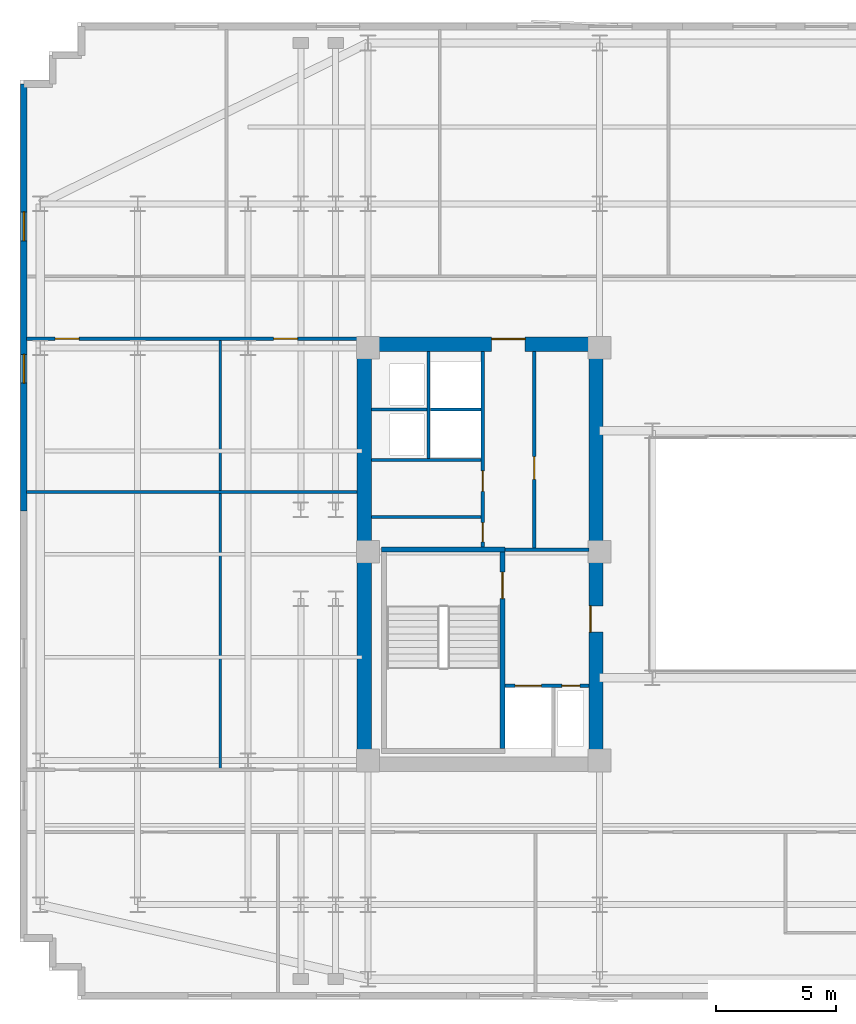
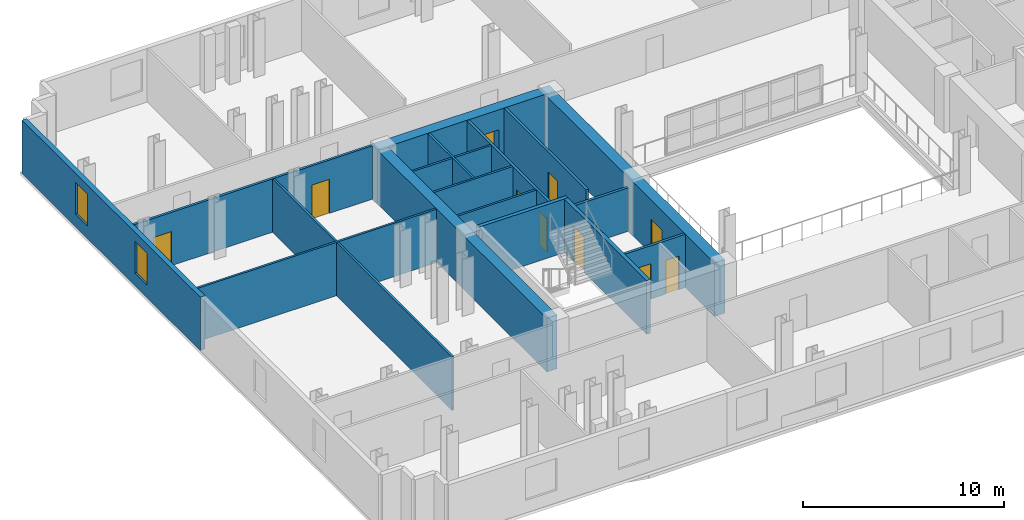
# One storey, part 7 of 12: 18 walls, 10 doors, 2 windows, 12 openings.
"""IFC4 building model written with IfcOpenShell, lengths in metres."""

from ifc_helpers import new_model, si_unit, direction, frame, frame_2d, origin, place, context, subcontext, project, spatial, rectangle, extrude, material, layer, layer_set, type_object, element, fill, save


model = new_model("IFC4")

# Units and contexts
model_context = context("Model", 3, precision=1e-05, world=origin(), true_north=direction((0.0, 1.0)))
body_context = subcontext(model_context, "Body", "Model", "MODEL_VIEW")
ifc_project = project(units=[si_unit("LENGTHUNIT", "METRE"), si_unit("AREAUNIT", "SQUARE_METRE"), si_unit("VOLUMEUNIT", "CUBIC_METRE"), si_unit("PLANEANGLEUNIT", "RADIAN"), si_unit("MASSUNIT", "GRAM", prefix="KILO")], contexts=[model_context])

# Site, building, storey
site_placement = place(None, origin())
site = spatial("IfcSite", under=ifc_project, at=site_placement, CompositionType="ELEMENT")
building_placement = place(site_placement, origin())
building = spatial("IfcBuilding", under=site, at=building_placement, Name="Velakula Bourse", CompositionType="ELEMENT")
storey_placement = place(building_placement, frame((0.0, 0.0, 148.449951171875)))
storey = spatial("IfcBuildingStorey", under=building, at=storey_placement, Name="L40", CompositionType="ELEMENT", Elevation=148.449951171875)

# Wall, opening, door
ifc_material_1 = material(Name="Concrete M50 (fck 50 MPa)", Category="concrete")
ifc_layer_1 = layer(ifc_material_1, 0.2099609375, Name="Concrete M50 (fck 50 MPa)", Category="concrete")
ifc_layer_set_1 = layer_set([ifc_layer_1], Name="Concrete M50 (fck 50 MPa)")
wall_type_1 = type_object("IfcWallType", Name="WL-CORE-210", PredefinedType="SHEAR", material=ifc_layer_set_1)
wall_1_placement = place(storey_placement, frame((-12.9951171875, -8.10009765625, 0.0), z_axis=(0.0, 0.0, 1.0), x_axis=(0.0, 1.0, 0.0)))
wall_1 = element("IfcWall", 1, at=wall_1_placement, inside=storey, type_object=wall_type_1, Name="L40 Core W Stairwell Shear Wall IN", PredefinedType="SHEAR", context=body_context, shape_type="SweptSolid", body=[
    extrude(rectangle(XDim=8.2001953125, YDim=0.2099609375, at=frame_2d((4.10009765625, 0.0))), origin(), (0.0, 0.0, 1.0), 3.27001953125),
])
opening_1_placement = place(wall_1_placement, frame((6.25, 0.0, 0.0)))
opening_1 = element("IfcOpeningElement", 2, at=opening_1_placement, cuts=wall_1, Name="Opening D-STW1", PredefinedType="OPENING", context=body_context, shape_type="SweptSolid", body=[
    extrude(rectangle(XDim=1.10009765625, YDim=2.14990234375, at=frame_2d((0.550048828125, 1.074951171875))), frame((0.0, 0.114990234375, 0.0), z_axis=(0.0, -1.0, 0.0), x_axis=(1.0, 0.0, 0.0)), (0.0, 0.0, 1.0), 0.22998046875),
])
ifc_material_2 = material(Name="Galvanised painted hollow steel fire door", Category="steel")
door_type_1 = type_object("IfcDoorType", Name="DR-FD120-1100x2150", OperationType="NOTDEFINED", PredefinedType="DOOR", material=ifc_material_2)
door_1_placement = place(opening_1_placement, origin())
door_1 = element("IfcDoor", 3, at=door_1_placement, inside=storey, type_object=door_type_1, Name="L40 Stair ST-W1 Fire Door", OperationType="SINGLE_SWING_LEFT", OverallHeight=2.14990234375, OverallWidth=1.10009765625, PredefinedType="DOOR", context=body_context, shape_type="SweptSolid", body=[
    extrude(rectangle(XDim=1.10009765625, YDim=2.14990234375, at=frame_2d((0.550048828125, 1.074951171875))), frame((0.0, 0.02490234375, 0.0), z_axis=(0.0, -1.0, 0.0), x_axis=(1.0, 0.0, 0.0)), (0.0, 0.0, 1.0), 0.050048828125),
])
fill(opening_1, door_1)

# Wall
wall_2_placement = place(storey_placement, frame((-12.889892578125, 0.205078125, 0.0), z_axis=(0.0, 0.0, 1.0), x_axis=(-1.0, 0.0, 0.0)))
element("IfcWall", 4, at=wall_2_placement, inside=storey, type_object=wall_type_1, Name="L40 Core W Stairwell Shear Wall N", PredefinedType="SHEAR", context=body_context, shape_type="SweptSolid", body=[
    extrude(rectangle(XDim=5.14013671875, YDim=0.2099609375, at=frame_2d((2.570068359375, 0.0))), origin(), (0.0, 0.0, 1.0), 3.27001953125),
])

# Wall, opening, door
ifc_material_3 = material(Name="Concrete M70 (fck 70 MPa)", Category="concrete")
ifc_layer_2 = layer(ifc_material_3, 0.60009765625, Name="Concrete M70 (fck 70 MPa)", Category="concrete")
ifc_layer_set_2 = layer_set([ifc_layer_2], Name="Concrete M70 (fck 70 MPa)")
wall_type_2 = type_object("IfcWallType", Name="WL-CORE-600", PredefinedType="SHEAR", material=ifc_layer_set_2)
wall_3_placement = place(storey_placement, frame((-19.050048828125, 8.75, 0.0), z_axis=(0.0, 0.0, 1.0), x_axis=(1.0, 0.0, 0.0)))
wall_3 = element("IfcWall", 5, at=wall_3_placement, inside=storey, type_object=wall_type_2, Name="L40 Core W Shear Wall N", PredefinedType="SHEAR", context=body_context, shape_type="SweptSolid", body=[
    extrude(rectangle(XDim=10.25, YDim=0.60009765625, at=frame_2d((5.125, 0.0))), origin(), (0.0, 0.0, 1.0), 3.27001953125),
])
opening_2_placement = place(wall_3_placement, frame((5.60009765625, 0.0, 0.0)))
opening_2 = element("IfcOpeningElement", 6, at=opening_2_placement, cuts=wall_3, Name="Opening D-LLW", PredefinedType="OPENING", context=body_context, shape_type="SweptSolid", body=[
    extrude(rectangle(XDim=1.39990234375, YDim=2.050048828125, at=frame_2d((0.699951171875, 1.02490234375))), frame((0.0, 0.31005859375, 0.0), z_axis=(0.0, -1.0, 0.0), x_axis=(1.0, 0.0, 0.0)), (0.0, 0.0, 1.0), 0.6201171875),
])
ifc_material_4 = material(Name="Fire-rated hardwood flush architectural door", Category="wood")
door_type_2 = type_object("IfcDoorType", Name="DR-DBL-FD60-1400", OperationType="DOUBLE_DOOR_SINGLE_SWING", PredefinedType="DOOR", material=ifc_material_4)
door_2_placement = place(opening_2_placement, origin())
door_2 = element("IfcDoor", 7, at=door_2_placement, inside=storey, type_object=door_type_2, Name="L40 Core W Lift Lobby Corridor Double Door", OperationType="DOUBLE_DOOR_SINGLE_SWING", OverallHeight=2.050048828125, OverallWidth=1.39990234375, PredefinedType="DOOR", context=body_context, shape_type="SweptSolid", body=[
    extrude(rectangle(XDim=1.39990234375, YDim=2.050048828125, at=frame_2d((0.699951171875, 1.02490234375))), frame((0.0, 0.2451171875, 0.0), z_axis=(0.0, -1.0, 0.0), x_axis=(1.0, 0.0, 0.0)), (0.0, 0.0, 1.0), 0.050048828125),
])
fill(opening_2, door_2)

# Wall
wall_4_placement = place(storey_placement, frame((-18.75, -8.449951171875, 0.0), z_axis=(0.0, 0.0, 1.0), x_axis=(0.0, 1.0, 0.0)))
element("IfcWall", 8, at=wall_4_placement, inside=storey, type_object=wall_type_2, Name="L40 Core W Shear Wall W", PredefinedType="SHEAR", context=body_context, shape_type="SweptSolid", body=[
    extrude(rectangle(XDim=16.89990234375, YDim=0.60009765625, at=frame_2d((8.449951171875, 0.0))), origin(), (0.0, 0.0, 1.0), 3.27001953125),
])

# Wall, opening, door
wall_5_placement = place(storey_placement, frame((-9.10009765625, -8.449951171875, 0.0), z_axis=(0.0, 0.0, 1.0), x_axis=(0.0, 1.0, 0.0)))
wall_5 = element("IfcWall", 9, at=wall_5_placement, inside=storey, type_object=wall_type_2, Name="L40 Core W Shear Wall E", PredefinedType="SHEAR", context=body_context, shape_type="SweptSolid", body=[
    extrude(rectangle(XDim=16.89990234375, YDim=0.60009765625, at=frame_2d((8.449951171875, 0.0))), origin(), (0.0, 0.0, 1.0), 3.27001953125),
])
opening_3_placement = place(wall_5_placement, frame((5.199951171875, 0.0, 0.0)))
opening_3 = element("IfcOpeningElement", 10, at=opening_3_placement, cuts=wall_5, Name="Opening D-FLW", PredefinedType="OPENING", context=body_context, shape_type="SweptSolid", body=[
    extrude(rectangle(XDim=1.10009765625, YDim=2.080078125, at=frame_2d((0.550048828125, 1.0400390625))), frame((0.0, 0.31005859375, 0.0), z_axis=(0.0, -1.0, 0.0), x_axis=(1.0, 0.0, 0.0)), (0.0, 0.0, 1.0), 0.6201171875),
])
door_type_3 = type_object("IfcDoorType", Name="DR-FD120-1100", OperationType="NOTDEFINED", PredefinedType="DOOR", material=ifc_material_2)
door_3_placement = place(opening_3_placement, origin())
door_3 = element("IfcDoor", 11, at=door_3_placement, inside=storey, type_object=door_type_3, Name="L40 Firefighting Lobby W Corridor Fire Door", OperationType="SINGLE_SWING_LEFT", OverallHeight=2.080078125, OverallWidth=1.10009765625, PredefinedType="DOOR", context=body_context, shape_type="SweptSolid", body=[
    extrude(rectangle(XDim=1.10009765625, YDim=2.080078125, at=frame_2d((0.550048828125, 1.0400390625))), frame((0.0, 0.2548828125, 0.0), z_axis=(0.0, -1.0, 0.0), x_axis=(1.0, 0.0, 0.0)), (0.0, 0.0, 1.0), 0.050048828125),
])
fill(opening_3, door_3)

# Wall, openings, windows
ifc_material_5 = material(Name="Red kilned clay facing brick masonry", Category="masonry")
ifc_layer_3 = layer(ifc_material_5, 0.280029296875, Name="Red kilned clay facing brick masonry", Category="masonry")
ifc_layer_set_3 = layer_set([ifc_layer_3], Name="Red kilned clay facing brick masonry")
wall_type_3 = type_object("IfcWallType", Name="WL-EXT-BRK-280", PredefinedType="STANDARD", material=ifc_layer_set_3)
wall_6_placement = place(storey_placement, frame((-32.93994140625, 1.800048828125, 0.0), z_axis=(0.0, 0.0, 1.0), x_axis=(0.0, 1.0, 0.0)))
wall_6 = element("IfcWall", 12, at=wall_6_placement, inside=storey, type_object=wall_type_3, Name="L40 W Brick End Wall W2", PredefinedType="STANDARD", context=body_context, shape_type="SweptSolid", body=[
    extrude(rectangle(XDim=17.7900390625, YDim=0.280029296875, at=frame_2d((8.89501953125, 0.0))), origin(), (0.0, 0.0, 1.0), 3.25),
])
opening_4_placement = place(wall_6_placement, frame((5.330078125, 0.0, 0.760009765625)))
opening_4 = element("IfcOpeningElement", 13, at=opening_4_placement, cuts=wall_6, Name="Opening W-04", PredefinedType="OPENING", context=body_context, shape_type="SweptSolid", body=[
    extrude(rectangle(XDim=1.199951171875, YDim=1.949951171875, at=frame_2d((0.60009765625, 0.97509765625))), frame((0.0, 0.14990234375, 0.0), z_axis=(0.0, -1.0, 0.0), x_axis=(1.0, 0.0, 0.0)), (0.0, 0.0, 1.0), 0.300048828125),
])
opening_5_placement = place(wall_6_placement, frame((11.260009765625, 0.0, 0.760009765625)))
opening_5 = element("IfcOpeningElement", 14, at=opening_5_placement, cuts=wall_6, Name="Opening W-04", PredefinedType="OPENING", context=body_context, shape_type="SweptSolid", body=[
    extrude(rectangle(XDim=1.199951171875, YDim=1.949951171875, at=frame_2d((0.60009765625, 0.97509765625))), frame((0.0, 0.14990234375, 0.0), z_axis=(0.0, -1.0, 0.0), x_axis=(1.0, 0.0, 0.0)), (0.0, 0.0, 1.0), 0.300048828125),
])
ifc_material_6 = material(Name="Double-glazed solar-control Low-E glass", Category="glass")
window_type = type_object("IfcWindowType", Name="WIN-TWR-1200x2100", PartitioningType="SINGLE_PANEL", PredefinedType="WINDOW", material=ifc_material_6)
window_1_placement = place(opening_4_placement, origin())
window_1 = element("IfcWindow", 15, at=window_1_placement, inside=storey, type_object=window_type, Name="L40 Deep-Set Recessed Window 1", OverallHeight=1.949951171875, OverallWidth=1.199951171875, PartitioningType="SINGLE_PANEL", PredefinedType="WINDOW", context=body_context, shape_type="SweptSolid", body=[
    extrude(rectangle(XDim=1.199951171875, YDim=1.949951171875, at=frame_2d((0.60009765625, 0.97509765625))), frame((0.0, 0.030029296875, 0.0), z_axis=(0.0, -1.0, 0.0), x_axis=(1.0, 0.0, 0.0)), (0.0, 0.0, 1.0), 0.06005859375),
])
fill(opening_4, window_1)
window_2_placement = place(opening_5_placement, origin())
window_2 = element("IfcWindow", 16, at=window_2_placement, inside=storey, type_object=window_type, Name="L40 Deep-Set Recessed Window 2", OverallHeight=1.949951171875, OverallWidth=1.199951171875, PartitioningType="SINGLE_PANEL", PredefinedType="WINDOW", context=body_context, shape_type="SweptSolid", body=[
    extrude(rectangle(XDim=1.199951171875, YDim=1.949951171875, at=frame_2d((0.60009765625, 0.97509765625))), frame((0.0, 0.030029296875, 0.0), z_axis=(0.0, -1.0, 0.0), x_axis=(1.0, 0.0, 0.0)), (0.0, 0.0, 1.0), 0.06005859375),
])
fill(opening_5, window_2)

# Walls
ifc_material_7 = material(Name="Fire-rated double-layer gypsum drywall partition", Category="gypsum")
ifc_layer_4 = layer(ifc_material_7, 0.1201171875, Name="Fire-rated double-layer gypsum drywall partition", Category="gypsum")
ifc_layer_set_4 = layer_set([ifc_layer_4], Name="Fire-rated double-layer gypsum drywall partition")
wall_type_4 = type_object("IfcWallType", Name="WL-PART-120", PredefinedType="STANDARD", material=ifc_layer_set_4)
wall_7_placement = place(storey_placement, frame((-18.449951171875, 3.919921875, 0.0), z_axis=(0.0, 0.0, 1.0), x_axis=(1.0, 0.0, 0.0)))
element("IfcWall", 17, at=wall_7_placement, inside=storey, type_object=wall_type_4, Name="L40 Interior Partition WL-CRW-L40-HI-S", PredefinedType="STANDARD", context=body_context, shape_type="SweptSolid", body=[
    extrude(rectangle(XDim=4.550048828125, YDim=0.1201171875, at=frame_2d((2.27490234375, 0.0))), origin(), (0.0, 0.0, 1.0), 3.25),
])
wall_8_placement = place(storey_placement, frame((-18.449951171875, 6.030029296875, 0.0), z_axis=(0.0, 0.0, 1.0), x_axis=(1.0, 0.0, 0.0)))
element("IfcWall", 18, at=wall_8_placement, inside=storey, type_object=wall_type_4, Name="L40 Interior Partition WL-CRW-L40-RIS-MID", PredefinedType="STANDARD", context=body_context, shape_type="SweptSolid", body=[
    extrude(rectangle(XDim=2.300048828125, YDim=0.1201171875, at=frame_2d((1.14990234375, 0.0))), origin(), (0.0, 0.0, 1.0), 3.25),
])
wall_9_placement = place(storey_placement, frame((-16.074951171875, 3.97998046875, 0.0), z_axis=(0.0, 0.0, 1.0), x_axis=(0.0, 1.0, 0.0)))
element("IfcWall", 19, at=wall_9_placement, inside=storey, type_object=wall_type_4, Name="L40 Interior Partition WL-CRW-L40-RIS-F", PredefinedType="STANDARD", context=body_context, shape_type="SweptSolid", body=[
    extrude(rectangle(XDim=4.469970703125, YDim=0.1201171875, at=frame_2d((2.23486328125, 0.0))), origin(), (0.0, 0.0, 1.0), 3.25),
])
wall_10_placement = place(storey_placement, frame((-16.0, 6.030029296875, 0.0), z_axis=(0.0, 0.0, 1.0), x_axis=(1.0, 0.0, 0.0)))
element("IfcWall", 20, at=wall_10_placement, inside=storey, type_object=wall_type_4, Name="L40 Interior Partition WL-CRW-L40-HI-DIV", PredefinedType="STANDARD", context=body_context, shape_type="SweptSolid", body=[
    extrude(rectangle(XDim=2.10009765625, YDim=0.1201171875, at=frame_2d((1.050048828125, 0.0))), origin(), (0.0, 0.0, 1.0), 3.25),
])
wall_11_placement = place(storey_placement, frame((-18.449951171875, 1.550048828125, 0.0), z_axis=(0.0, 0.0, 1.0), x_axis=(1.0, 0.0, 0.0)))
element("IfcWall", 21, at=wall_11_placement, inside=storey, type_object=wall_type_4, Name="L40 Interior Partition WL-CRW-L40-K1", PredefinedType="STANDARD", context=body_context, shape_type="SweptSolid", body=[
    extrude(rectangle(XDim=4.550048828125, YDim=0.1201171875, at=frame_2d((2.27490234375, 0.0))), origin(), (0.0, 0.0, 1.0), 3.25),
])
wall_12_placement = place(storey_placement, frame((-32.820068359375, 2.60009765625, 0.0), z_axis=(0.0, 0.0, 1.0), x_axis=(1.0, 0.0, 0.0)))
element("IfcWall", 22, at=wall_12_placement, inside=storey, type_object=wall_type_4, Name="L40 Interior Partition WL-INT-L40-W-H", PredefinedType="STANDARD", context=body_context, shape_type="SweptSolid", body=[
    extrude(rectangle(XDim=13.77001953125, YDim=0.1201171875, at=frame_2d((6.885009765625, 0.0))), origin(), (0.0, 0.0, 1.0), 3.25),
])
wall_13_placement = place(storey_placement, frame((-24.7548828125, -8.97998046875, 0.0), z_axis=(0.0, 0.0, 1.0), x_axis=(0.0, 1.0, 0.0)))
element("IfcWall", 23, at=wall_13_placement, inside=storey, type_object=wall_type_4, Name="L40 Interior Partition WL-INT-L40-W-V1", PredefinedType="STANDARD", context=body_context, shape_type="SweptSolid", body=[
    extrude(rectangle(XDim=17.9599609375, YDim=0.1201171875, at=frame_2d((8.97998046875, 0.0))), origin(), (0.0, 0.0, 1.0), 3.25),
])

# Wall, openings, doors
ifc_layer_5 = layer(ifc_material_7, 0.139892578125, Name="Fire-rated double-layer gypsum drywall partition", Category="gypsum")
ifc_layer_set_5 = layer_set([ifc_layer_5], Name="Fire-rated double-layer gypsum drywall partition")
wall_type_5 = type_object("IfcWallType", Name="WL-PART-140", PredefinedType="STANDARD", material=ifc_layer_set_5)
wall_14_placement = place(storey_placement, frame((-32.820068359375, 8.97998046875, 0.0), z_axis=(0.0, 0.0, 1.0), x_axis=(1.0, 0.0, 0.0)))
wall_14 = element("IfcWall", 24, at=wall_14_placement, inside=storey, type_object=wall_type_5, Name="L40 Interior Partition WL-INT-L40-W-NC", PredefinedType="STANDARD", context=body_context, shape_type="SweptSolid", body=[
    extrude(rectangle(XDim=13.77001953125, YDim=0.139892578125, at=frame_2d((6.885009765625, 0.0))), origin(), (0.0, 0.0, 1.0), 3.25),
])
opening_6_placement = place(wall_14_placement, frame((1.1826171875, 0.0, 0.0)))
opening_6 = element("IfcOpeningElement", 25, at=opening_6_placement, cuts=wall_14, Name="Opening D-OF1", PredefinedType="OPENING", context=body_context, shape_type="SweptSolid", body=[
    extrude(rectangle(XDim=1.0, YDim=2.080078125, at=frame_2d((0.5, 1.0400390625))), frame((0.0, 0.079833984375, 0.0), z_axis=(0.0, -1.0, 0.0), x_axis=(1.0, 0.0, 0.0)), (0.0, 0.0, 1.0), 0.159912109375),
])
opening_7_placement = place(wall_14_placement, frame((10.28759765625, 0.0, 0.0)))
opening_7 = element("IfcOpeningElement", 26, at=opening_7_placement, cuts=wall_14, Name="Opening D-OF1", PredefinedType="OPENING", context=body_context, shape_type="SweptSolid", body=[
    extrude(rectangle(XDim=1.0, YDim=2.080078125, at=frame_2d((0.5, 1.0400390625))), frame((0.0, 0.079833984375, 0.0), z_axis=(0.0, -1.0, 0.0), x_axis=(1.0, 0.0, 0.0)), (0.0, 0.0, 1.0), 0.159912109375),
])
door_type_4 = type_object("IfcDoorType", Name="DR-OFF-1000", OperationType="NOTDEFINED", PredefinedType="DOOR", material=ifc_material_4)
door_4_placement = place(opening_6_placement, origin())
door_4 = element("IfcDoor", 27, at=door_4_placement, inside=storey, type_object=door_type_4, Name="L40 Chief Risk Officer Chamber Door", OperationType="SINGLE_SWING_LEFT", OverallHeight=2.080078125, OverallWidth=1.0, PredefinedType="DOOR", context=body_context, shape_type="SweptSolid", body=[
    extrude(rectangle(XDim=1.0, YDim=2.080078125, at=frame_2d((0.5, 1.0400390625))), frame((0.0, 0.02490234375, 0.0), z_axis=(0.0, -1.0, 0.0), x_axis=(1.0, 0.0, 0.0)), (0.0, 0.0, 1.0), 0.050048828125),
])
fill(opening_6, door_4)
door_5_placement = place(opening_7_placement, origin())
door_5 = element("IfcDoor", 28, at=door_5_placement, inside=storey, type_object=door_type_4, Name="L40 Yield Curve Seminar Room Door", OperationType="SINGLE_SWING_RIGHT", OverallHeight=2.080078125, OverallWidth=1.0, PredefinedType="DOOR", context=body_context, shape_type="SweptSolid", body=[
    extrude(rectangle(XDim=1.0, YDim=2.080078125, at=frame_2d((0.5, 1.0400390625))), frame((0.0, 0.02490234375, 0.0), z_axis=(0.0, -1.0, 0.0), x_axis=(1.0, 0.0, 0.0)), (0.0, 0.0, 1.0), 0.050048828125),
])
fill(opening_7, door_5)

ifc_material_8 = material(Name="Autoclaved aerated concrete blockwork masonry", Category="masonry")
ifc_layer_6 = layer(ifc_material_8, 0.14990234375, Name="Autoclaved aerated concrete blockwork masonry", Category="masonry")
ifc_layer_set_6 = layer_set([ifc_layer_6], Name="Autoclaved aerated concrete blockwork masonry")
wall_type_6 = type_object("IfcWallType", Name="WL-SHAFT-150", PredefinedType="STANDARD", material=ifc_layer_set_6)
wall_15_placement = place(storey_placement, frame((-12.89501953125, -5.47509765625, 0.0), z_axis=(0.0, 0.0, 1.0), x_axis=(1.0, 0.0, 0.0)))
wall_15 = element("IfcWall", 29, at=wall_15_placement, inside=storey, type_object=wall_type_6, Name="L40 Interior Partition WL-CRW-L40-FFL-N", PredefinedType="STANDARD", context=body_context, shape_type="SweptSolid", body=[
    extrude(rectangle(XDim=3.4951171875, YDim=0.14990234375, at=frame_2d((1.74755859375, 0.0))), origin(), (0.0, 0.0, 1.0), 3.25),
])
opening_8_placement = place(wall_15_placement, frame((0.419921875, 0.0, 0.0)))
opening_8 = element("IfcOpeningElement", 30, at=opening_8_placement, cuts=wall_15, Name="Opening LD-FFL-1", PredefinedType="OPENING", context=body_context, shape_type="SweptSolid", body=[
    extrude(rectangle(XDim=1.10009765625, YDim=2.14990234375, at=frame_2d((0.550048828125, 1.074951171875))), frame((0.0, 0.0849609375, 0.0), z_axis=(0.0, -1.0, 0.0), x_axis=(1.0, 0.0, 0.0)), (0.0, 0.0, 1.0), 0.169921875),
])
opening_9_placement = place(wall_15_placement, frame((2.3701171875, 0.0, 0.0)))
opening_9 = element("IfcOpeningElement", 31, at=opening_9_placement, cuts=wall_15, Name="Opening D-RS1", PredefinedType="OPENING", context=body_context, shape_type="SweptSolid", body=[
    extrude(rectangle(XDim=0.75, YDim=2.050048828125, at=frame_2d((0.375, 1.02490234375))), frame((0.0, 0.0849609375, 0.0), z_axis=(0.0, -1.0, 0.0), x_axis=(1.0, 0.0, 0.0)), (0.0, 0.0, 1.0), 0.169921875),
])
door_type_5 = type_object("IfcDoorType", Name="DR-RISER-800", OperationType="NOTDEFINED", PredefinedType="DOOR", material=ifc_material_2)
door_6_placement = place(opening_9_placement, origin())
door_6 = element("IfcDoor", 32, at=door_6_placement, inside=storey, type_object=door_type_5, Name="L40 Fire Riser Access Door", OperationType="SINGLE_SWING_LEFT", OverallHeight=2.050048828125, OverallWidth=0.75, PredefinedType="DOOR", context=body_context, shape_type="SweptSolid", body=[
    extrude(rectangle(XDim=0.75, YDim=2.050048828125, at=frame_2d((0.375, 1.02490234375))), frame((0.0, 0.02490234375, 0.0), z_axis=(0.0, -1.0, 0.0), x_axis=(1.0, 0.0, 0.0)), (0.0, 0.0, 1.0), 0.050048828125),
])
fill(opening_9, door_6)
ifc_material_9 = material(Name="Brushed grade 316 stainless steel", Category="steel")
door_type_6 = type_object("IfcDoorType", Name="DR-SLIDE-FFL-1100", OperationType="DOUBLE_DOOR_SLIDING", PredefinedType="DOOR", material=ifc_material_9)
door_7_placement = place(opening_8_placement, origin())
door_7 = element("IfcDoor", 33, at=door_7_placement, inside=storey, type_object=door_type_6, Name="L40 Firefighting Lift FFL-1 Sliding Landing Door", OperationType="DOUBLE_DOOR_SLIDING", OverallHeight=2.14990234375, OverallWidth=1.10009765625, PredefinedType="DOOR", context=body_context, shape_type="SweptSolid", body=[
    extrude(rectangle(XDim=1.10009765625, YDim=2.14990234375, at=frame_2d((0.550048828125, 1.074951171875))), frame((0.0, 0.02490234375, 0.0), z_axis=(0.0, -1.0, 0.0), x_axis=(1.0, 0.0, 0.0)), (0.0, 0.0, 1.0), 0.050048828125),
])
fill(opening_8, door_7)

# Wall
wall_16_placement = place(storey_placement, frame((-12.889892578125, 0.18994140625, 0.0), z_axis=(0.0, 0.0, 1.0), x_axis=(1.0, 0.0, 0.0)))
element("IfcWall", 34, at=wall_16_placement, inside=storey, type_object=wall_type_6, Name="L40 Interior Partition WL-CRW-L40-FF-TOP", PredefinedType="STANDARD", context=body_context, shape_type="SweptSolid", body=[
    extrude(rectangle(XDim=3.489990234375, YDim=0.14990234375, at=frame_2d((1.7451171875, 0.0))), origin(), (0.0, 0.0, 1.0), 2.64501953125),
])

# Wall, opening, door
wall_17_placement = place(storey_placement, frame((-11.675048828125, 0.27001953125, 0.0), z_axis=(0.0, 0.0, 1.0), x_axis=(0.0, 1.0, 0.0)))
wall_17 = element("IfcWall", 35, at=wall_17_placement, inside=storey, type_object=wall_type_6, Name="L40 Interior Partition WL-CRW-L40-BANK-F", PredefinedType="STANDARD", context=body_context, shape_type="SweptSolid", body=[
    extrude(rectangle(XDim=8.179931640625, YDim=0.14990234375, at=frame_2d((4.08984375, 0.0))), origin(), (0.0, 0.0, 1.0), 3.25),
])
opening_10_placement = place(wall_17_placement, frame((2.85009765625, 0.0, 0.0)))
opening_10 = element("IfcOpeningElement", 36, at=opening_10_placement, cuts=wall_17, Name="Opening D-RC4", PredefinedType="OPENING", context=body_context, shape_type="SweptSolid", body=[
    extrude(rectangle(XDim=0.949951171875, YDim=2.050048828125, at=frame_2d((0.47509765625, 1.02490234375))), frame((0.0, 0.0849609375, 0.0), z_axis=(0.0, -1.0, 0.0), x_axis=(1.0, 0.0, 0.0)), (0.0, 0.0, 1.0), 0.169921875),
])
door_type_7 = type_object("IfcDoorType", Name="DR-FD60-950x2050", OperationType="NOTDEFINED", PredefinedType="DOOR", material=ifc_material_4)
door_8_placement = place(opening_10_placement, origin())
door_8 = element("IfcDoor", 37, at=door_8_placement, inside=storey, type_object=door_type_7, Name="L40 Reclaimed Multi-Bay Archive Room Door", OperationType="SINGLE_SWING_RIGHT", OverallHeight=2.050048828125, OverallWidth=0.949951171875, PredefinedType="DOOR", context=body_context, shape_type="SweptSolid", body=[
    extrude(rectangle(XDim=0.949951171875, YDim=2.050048828125, at=frame_2d((0.47509765625, 1.02490234375))), frame((0.0, 0.02490234375, 0.0), z_axis=(0.0, -1.0, 0.0), x_axis=(1.0, 0.0, 0.0)), (0.0, 0.0, 1.0), 0.050048828125),
])
fill(opening_10, door_8)

# Wall, openings, doors
wall_18_placement = place(storey_placement, frame((-13.824951171875, 0.27001953125, 0.0), z_axis=(0.0, 0.0, 1.0), x_axis=(0.0, 1.0, 0.0)))
wall_18 = element("IfcWall", 38, at=wall_18_placement, inside=storey, type_object=wall_type_6, Name="L40 Interior Partition WL-CRW-L40-OUT-F", PredefinedType="STANDARD", context=body_context, shape_type="SweptSolid", body=[
    extrude(rectangle(XDim=8.179931640625, YDim=0.14990234375, at=frame_2d((4.08984375, 0.0))), origin(), (0.0, 0.0, 1.0), 3.25),
])
opening_11_placement = place(wall_18_placement, frame((0.25, 0.0, 0.0)))
opening_11 = element("IfcOpeningElement", 39, at=opening_11_placement, cuts=wall_18, Name="Opening D-CS1", PredefinedType="OPENING", context=body_context, shape_type="SweptSolid", body=[
    extrude(rectangle(XDim=0.800048828125, YDim=2.050048828125, at=frame_2d((0.39990234375, 1.02490234375))), frame((0.0, 0.0849609375, 0.0), z_axis=(0.0, -1.0, 0.0), x_axis=(1.0, 0.0, 0.0)), (0.0, 0.0, 1.0), 0.169921875),
])
opening_12_placement = place(wall_18_placement, frame((2.35009765625, 0.0, 0.0)))
opening_12 = element("IfcOpeningElement", 40, at=opening_12_placement, cuts=wall_18, Name="Opening D-CW1", PredefinedType="OPENING", context=body_context, shape_type="SweptSolid", body=[
    extrude(rectangle(XDim=0.85009765625, YDim=2.050048828125, at=frame_2d((0.425048828125, 1.02490234375))), frame((0.0, 0.0849609375, 0.0), z_axis=(0.0, -1.0, 0.0), x_axis=(1.0, 0.0, 0.0)), (0.0, 0.0, 1.0), 0.169921875),
])
door_type_8 = type_object("IfcDoorType", Name="DR-INT-850", OperationType="NOTDEFINED", PredefinedType="DOOR", material=ifc_material_4)
door_9_placement = place(opening_12_placement, origin())
door_9 = element("IfcDoor", 41, at=door_9_placement, inside=storey, type_object=door_type_8, Name="L40 Core Janitor Closet Door", OperationType="SINGLE_SWING_RIGHT", OverallHeight=2.050048828125, OverallWidth=0.85009765625, PredefinedType="DOOR", context=body_context, shape_type="SweptSolid", body=[
    extrude(rectangle(XDim=0.85009765625, YDim=2.050048828125, at=frame_2d((0.425048828125, 1.02490234375))), frame((0.0, 0.02490234375, 0.0), z_axis=(0.0, -1.0, 0.0), x_axis=(1.0, 0.0, 0.0)), (0.0, 0.0, 1.0), 0.050048828125),
])
fill(opening_12, door_9)
door_type_9 = type_object("IfcDoorType", Name="DR-RISER-800x2050", OperationType="NOTDEFINED", PredefinedType="DOOR", material=ifc_material_2)
door_10_placement = place(opening_11_placement, origin())
door_10 = element("IfcDoor", 42, at=door_10_placement, inside=storey, type_object=door_type_9, Name="L40 Core Cleaner Store Door", OperationType="SINGLE_SWING_LEFT", OverallHeight=2.050048828125, OverallWidth=0.800048828125, PredefinedType="DOOR", context=body_context, shape_type="SweptSolid", body=[
    extrude(rectangle(XDim=0.800048828125, YDim=2.050048828125, at=frame_2d((0.39990234375, 1.02490234375))), frame((0.0, 0.02490234375, 0.0), z_axis=(0.0, -1.0, 0.0), x_axis=(1.0, 0.0, 0.0)), (0.0, 0.0, 1.0), 0.050048828125),
])
fill(opening_11, door_10)

save(model, "model.ifc")
